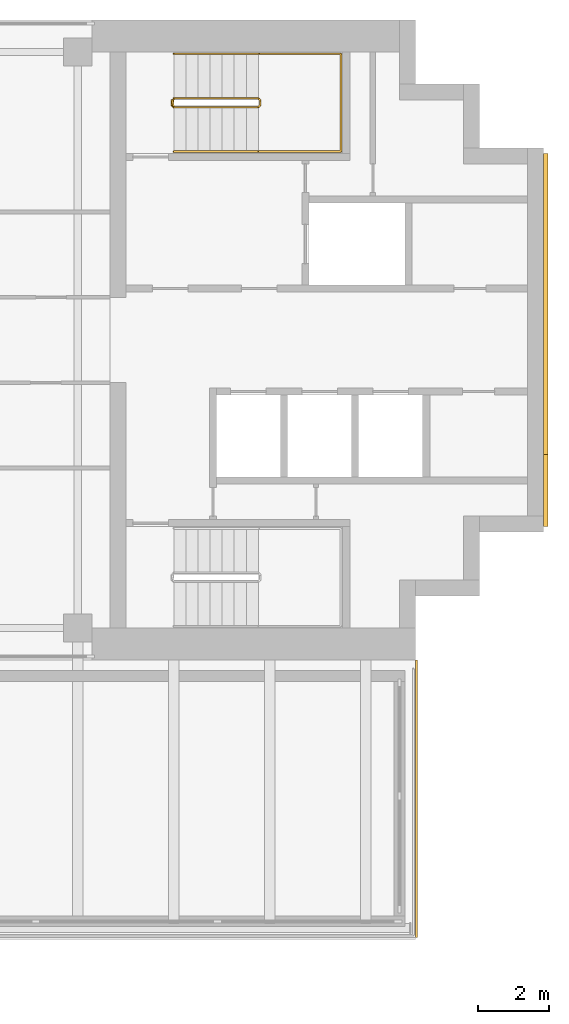
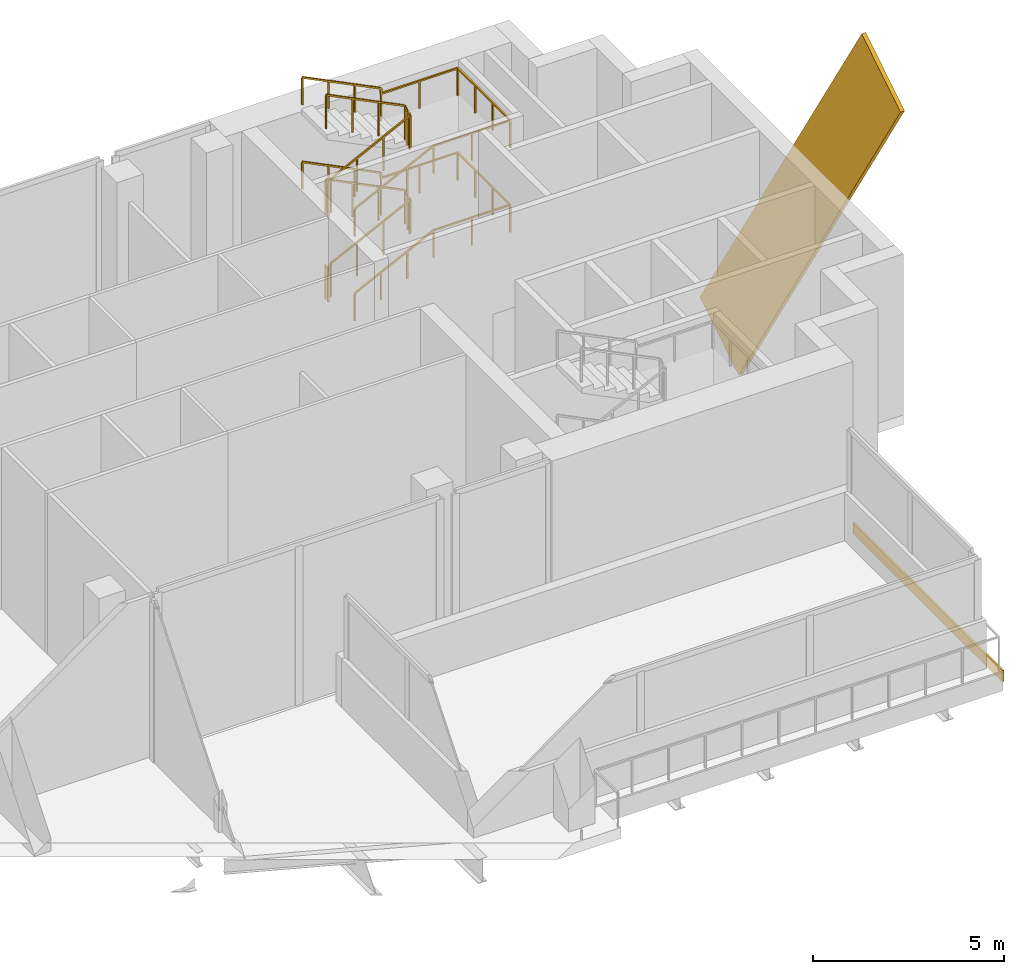
# One storey, part 14 of 14: 3 railings, 2 coverings.
"""IFC4 building model written with IfcOpenShell, lengths in metres."""

from ifc_helpers import new_model, si_unit, direction, frame, origin, origin_2d, place, context, subcontext, project, spatial, rectangle, extrude, material, layer, layer_set, material_profile, profile_set, type_object, element, save


model = new_model("IFC4")

# Units and contexts
model_context = context("Model", 3, precision=1e-05, world=origin(), true_north=direction((0.0, 1.0)))
body_context = subcontext(model_context, "Body", "Model", "MODEL_VIEW")
ifc_project = project(units=[si_unit("LENGTHUNIT", "METRE"), si_unit("AREAUNIT", "SQUARE_METRE"), si_unit("VOLUMEUNIT", "CUBIC_METRE"), si_unit("PLANEANGLEUNIT", "RADIAN"), si_unit("MASSUNIT", "GRAM", prefix="KILO")], contexts=[model_context])

# Site, building, storey
site_placement = place(None, origin())
site = spatial("IfcSite", under=ifc_project, at=site_placement, CompositionType="ELEMENT")
building_placement = place(site_placement, origin())
building = spatial("IfcBuilding", under=site, at=building_placement, Name="Perihelion Cross Residences", CompositionType="ELEMENT")
storey_placement = place(building_placement, frame((0.0, 0.0, 285.0)))
storey = spatial("IfcBuildingStorey", under=building, at=storey_placement, Name="L73", CompositionType="ELEMENT", Elevation=285.0)

# Coverings
ifc_material_1 = material(Name="Bronze anodised aluminium", Category="aluminium")
ifc_material_profile = material_profile(ifc_material_1, rectangle(XDim=0.125, YDim=2.39990234375, at=origin_2d()), Name="Bronze cladding band 2400")
ifc_profile_set = profile_set([ifc_material_profile], Name="Bronze anodised aluminium")
covering_type_1 = type_object("IfcCoveringType", Name="Bronze cladding band 2400", PredefinedType="CLADDING", material=ifc_profile_set)
covering_1_placement = place(storey_placement, frame((33.862548828125, 4.232421875, -3.325927734375), z_axis=(0.0, -0.529924750763, 0.848044667767), x_axis=(1.0, 0.0, 0.0)))
element("IfcCovering", 1, at=covering_1_placement, inside=storey, type_object=covering_type_1, Name="Core cladding band, east core", PredefinedType="CLADDING", context=body_context, shape_type="SweptSolid", body=[
    extrude(rectangle(XDim=0.125, YDim=2.39990234375, at=origin_2d()), origin(), (0.0, 0.0, 1.0), 15.9736328125),
])
ifc_material_2 = material(Name="Bronze anodised aluminium", Category="aluminium")
ifc_layer = layer(ifc_material_2, 0.06005859375)
ifc_layer_set = layer_set([ifc_layer], Name="Pool deck edge cladding")
covering_type_2 = type_object("IfcCoveringType", Name="Pool deck edge cladding", PredefinedType="CLADDING", material=ifc_layer_set)
covering_2_placement = place(storey_placement, frame((30.22998046875, -12.89990234375, -0.35009765625), z_axis=(0.0, 0.0, 1.0), x_axis=(1.0, 0.0, 0.0)))
element("IfcCovering", 2, at=covering_2_placement, inside=storey, type_object=covering_type_2, Name="Fascia PEC1 L73 pool no. 1", PredefinedType="CLADDING", context=body_context, shape_type="SweptSolid", body=[
    extrude(rectangle(XDim=0.06005859375, YDim=7.800048828125, at=origin_2d()), origin(), (0.0, 0.0, 1.0), 0.35009765625),
])

# Railings
ifc_material_3 = material(Name="Stainless steel", Category="steel")
railing_type_1 = type_object("IfcRailingType", Name="Stair guard 1100", PredefinedType="GUARDRAIL", material=ifc_material_3)
railing_1_placement = place(storey_placement, frame((23.35009765625, 6.75, 0.0)))
element("IfcRailing", 3, at=railing_1_placement, inside=storey, type_object=railing_type_1, Name="L73 ST-E1 stair guard 1", PredefinedType="GUARDRAIL", context=body_context, shape_type="SweptSolid", body=[
    extrude(rectangle(XDim=0.048095703125, YDim=0.048095703125, at=origin_2d()), frame((0.0, 0.0, 1.076171875), z_axis=(0.0, -1.0, 0.0), x_axis=(1.0, 0.0, 0.0)), (0.0, 0.0, 1.0), 0.14990234375),
    extrude(rectangle(XDim=0.048095703125, YDim=0.048095703125, at=origin_2d()), frame((0.0, -0.14990234375, 1.076171875), z_axis=(0.272333783174, -0.273668752699, 0.922463942026), x_axis=(0.708833529934, 0.705375805398, 0.0)), (0.0, 0.0, 1.0), 0.182861328125),
    extrude(rectangle(XDim=0.048095703125, YDim=0.048095703125, at=origin_2d()), frame((0.0498046875, -0.199951171875, 1.24462890625), z_axis=(0.895728066128, 0.0, 0.444602329674), x_axis=(0.0, 1.0, 0.0)), (0.0, 0.0, 1.0), 2.6572265625),
    extrude(rectangle(XDim=0.048095703125, YDim=0.048095703125, at=origin_2d()), frame((2.429931640625, -0.199951171875, 2.42626953125), z_axis=(0.707106781187, 0.707106781187, 0.0), x_axis=(-0.707106781187, 0.707106781187, 0.0)), (0.0, 0.0, 1.0), 0.07080078125),
    extrude(rectangle(XDim=0.048095703125, YDim=0.048095703125, at=origin_2d()), frame((2.47998046875, -0.14990234375, 2.42626953125), z_axis=(0.0, 1.0, 0.0), x_axis=(-1.0, 0.0, 0.0)), (0.0, 0.0, 1.0), 0.14990234375),
    extrude(rectangle(XDim=0.048095703125, YDim=0.048095703125, at=origin_2d()), frame((2.47998046875, 0.0, 2.42626953125), z_axis=(-0.273569069059, 0.273569069059, 0.922127935218), x_axis=(-0.707106781187, -0.707106781187, 0.0)), (0.0, 0.0, 1.0), 0.182861328125),
    extrude(rectangle(XDim=0.048095703125, YDim=0.048095703125, at=origin_2d()), frame((2.429931640625, 0.050048828125, 2.5947265625), z_axis=(-0.895764654725, 0.0, 0.444528608017), x_axis=(0.0, -1.0, 0.0)), (0.0, 0.0, 1.0), 2.656982421875),
    extrude(rectangle(XDim=0.048095703125, YDim=0.048095703125, at=origin_2d()), frame((0.0498046875, 0.050048828125, 3.77587890625), z_axis=(-0.241699205484, -0.970351222016, 0.0), x_axis=(0.970351222016, -0.241699205484, 0.0)), (0.0, 0.0, 1.0), 0.2060546875),
    extrude(rectangle(XDim=0.048095703125, YDim=0.048095703125, at=origin_2d()), frame((0.0, -0.14990234375, 3.77587890625), z_axis=(0.0, 1.0, 0.0), x_axis=(-1.0, 0.0, 0.0)), (0.0, 0.0, 1.0), 0.14990234375),
    extrude(rectangle(XDim=0.048095703125, YDim=0.048095703125, at=origin_2d()), frame((0.0, 0.0, 3.77587890625), z_axis=(0.187017651923, -0.750820867278, 0.633476458228), x_axis=(0.970351222016, 0.241699205484, 0.0)), (0.0, 0.0, 1.0), 0.266357421875),
    extrude(rectangle(XDim=0.048095703125, YDim=0.048095703125, at=origin_2d()), frame((0.0498046875, -0.199951171875, 3.94482421875), z_axis=(0.895728066128, 0.0, 0.444602329674), x_axis=(0.0, 1.0, 0.0)), (0.0, 0.0, 1.0), 2.6572265625),
    extrude(rectangle(XDim=0.048095703125, YDim=0.048095703125, at=origin_2d()), frame((2.429931640625, -0.199951171875, 5.1259765625), z_axis=(0.707106781187, 0.707106781187, 0.0), x_axis=(-0.707106781187, 0.707106781187, 0.0)), (0.0, 0.0, 1.0), 0.07080078125),
    extrude(rectangle(XDim=0.048095703125, YDim=0.048095703125, at=origin_2d()), frame((2.47998046875, -0.14990234375, 5.1259765625), z_axis=(0.0, 1.0, 0.0), x_axis=(-1.0, 0.0, 0.0)), (0.0, 0.0, 1.0), 0.14990234375),
    extrude(rectangle(XDim=0.048095703125, YDim=0.048095703125, at=origin_2d()), frame((2.47998046875, 0.0, 5.1259765625), z_axis=(-0.273569069059, 0.273569069059, 0.922127935218), x_axis=(-0.707106781187, -0.707106781187, 0.0)), (0.0, 0.0, 1.0), 0.182861328125),
    extrude(rectangle(XDim=0.048095703125, YDim=0.048095703125, at=origin_2d()), frame((2.429931640625, 0.050048828125, 5.294921875), z_axis=(-0.895764654725, 0.0, 0.444528608017), x_axis=(0.0, -1.0, 0.0)), (0.0, 0.0, 1.0), 2.656982421875),
    extrude(rectangle(XDim=0.0419921875, YDim=0.0419921875, at=origin_2d()), origin(), (0.0, 0.0, 1.0), 1.052001953125),
    extrude(rectangle(XDim=0.0419921875, YDim=0.0419921875, at=origin_2d()), frame((0.0, -0.14990234375, 0.0)), (0.0, 0.0, 1.0), 1.052001953125),
    extrude(rectangle(XDim=0.0419921875, YDim=0.0419921875, at=origin_2d()), frame((0.0498046875, -0.199951171875, 0.168701171875)), (0.0, 0.0, 1.0), 1.052001953125),
    extrude(rectangle(XDim=0.0419921875, YDim=0.0419921875, at=origin_2d()), frame((0.84326171875, -0.199951171875, 0.5625)), (0.0, 0.0, 1.0), 1.052001953125),
    extrude(rectangle(XDim=0.0419921875, YDim=0.0419921875, at=origin_2d()), frame((1.636474609375, -0.199951171875, 0.956298828125)), (0.0, 0.0, 1.0), 1.052001953125),
    extrude(rectangle(XDim=0.0419921875, YDim=0.0419921875, at=origin_2d()), frame((2.429931640625, -0.199951171875, 1.35009765625)), (0.0, 0.0, 1.0), 1.052001953125),
    extrude(rectangle(XDim=0.0419921875, YDim=0.0419921875, at=origin_2d()), frame((2.47998046875, -0.14990234375, 1.35009765625)), (0.0, 0.0, 1.0), 1.052001953125),
    extrude(rectangle(XDim=0.0419921875, YDim=0.0419921875, at=origin_2d()), frame((2.47998046875, 0.0, 1.35009765625)), (0.0, 0.0, 1.0), 1.052001953125),
    extrude(rectangle(XDim=0.0419921875, YDim=0.0419921875, at=origin_2d()), frame((2.429931640625, 0.050048828125, 1.518798828125)), (0.0, 0.0, 1.0), 1.052001953125),
    extrude(rectangle(XDim=0.0419921875, YDim=0.0419921875, at=origin_2d()), frame((1.636474609375, 0.050048828125, 1.91259765625)), (0.0, 0.0, 1.0), 1.052001953125),
    extrude(rectangle(XDim=0.0419921875, YDim=0.0419921875, at=origin_2d()), frame((0.84326171875, 0.050048828125, 2.30615234375)), (0.0, 0.0, 1.0), 1.052001953125),
    extrude(rectangle(XDim=0.0419921875, YDim=0.0419921875, at=origin_2d()), frame((0.0498046875, 0.050048828125, 2.699951171875)), (0.0, 0.0, 1.0), 1.052001953125),
    extrude(rectangle(XDim=0.0419921875, YDim=0.0419921875, at=origin_2d()), frame((0.0, -0.14990234375, 2.699951171875)), (0.0, 0.0, 1.0), 1.052001953125),
    extrude(rectangle(XDim=0.0419921875, YDim=0.0419921875, at=origin_2d()), frame((0.0, 0.0, 2.699951171875)), (0.0, 0.0, 1.0), 1.052001953125),
    extrude(rectangle(XDim=0.0419921875, YDim=0.0419921875, at=origin_2d()), frame((0.0498046875, -0.199951171875, 2.86865234375)), (0.0, 0.0, 1.0), 1.052001953125),
    extrude(rectangle(XDim=0.0419921875, YDim=0.0419921875, at=origin_2d()), frame((0.84326171875, -0.199951171875, 3.262451171875)), (0.0, 0.0, 1.0), 1.052001953125),
    extrude(rectangle(XDim=0.0419921875, YDim=0.0419921875, at=origin_2d()), frame((1.636474609375, -0.199951171875, 3.65625)), (0.0, 0.0, 1.0), 1.052001953125),
    extrude(rectangle(XDim=0.0419921875, YDim=0.0419921875, at=origin_2d()), frame((2.429931640625, -0.199951171875, 4.050048828125)), (0.0, 0.0, 1.0), 1.052001953125),
    extrude(rectangle(XDim=0.0419921875, YDim=0.0419921875, at=origin_2d()), frame((2.47998046875, -0.14990234375, 4.050048828125)), (0.0, 0.0, 1.0), 1.052001953125),
    extrude(rectangle(XDim=0.0419921875, YDim=0.0419921875, at=origin_2d()), frame((2.47998046875, 0.0, 4.050048828125)), (0.0, 0.0, 1.0), 1.052001953125),
    extrude(rectangle(XDim=0.0419921875, YDim=0.0419921875, at=origin_2d()), frame((2.429931640625, 0.050048828125, 4.21875)), (0.0, 0.0, 1.0), 1.052001953125),
    extrude(rectangle(XDim=0.0419921875, YDim=0.0419921875, at=origin_2d()), frame((1.636474609375, 0.050048828125, 4.612548828125)), (0.0, 0.0, 1.0), 1.052001953125),
    extrude(rectangle(XDim=0.0419921875, YDim=0.0419921875, at=origin_2d()), frame((0.84326171875, 0.050048828125, 5.006103515625)), (0.0, 0.0, 1.0), 1.052001953125),
    extrude(rectangle(XDim=0.0419921875, YDim=0.0419921875, at=origin_2d()), frame((0.0498046875, 0.050048828125, 5.39990234375)), (0.0, 0.0, 1.0), 1.052001953125),
])
ifc_material_4 = material(Name="Stainless steel", Category="steel")
railing_type_2 = type_object("IfcRailingType", Name="Stair handrail 900", PredefinedType="HANDRAIL", material=ifc_material_4)
railing_2_placement = place(storey_placement, frame((23.39990234375, 5.300048828125, 0.168701171875)))
element("IfcRailing", 4, at=railing_2_placement, inside=storey, type_object=railing_type_2, Name="L73 ST-E1 stair handrail 1", PredefinedType="HANDRAIL", context=body_context, shape_type="SweptSolid", body=[
    extrude(rectangle(XDim=0.048095703125, YDim=0.048095703125, at=origin_2d()), frame((0.0, 0.0, 0.8759765625), z_axis=(0.895728066128, 0.0, 0.444602329674), x_axis=(0.0, 1.0, 0.0)), (0.0, 0.0, 1.0), 2.6572265625),
    extrude(rectangle(XDim=0.048095703125, YDim=0.048095703125, at=origin_2d()), frame((2.380126953125, 0.0, 2.05712890625), z_axis=(1.0, 0.0, 0.0), x_axis=(0.0, 1.0, 0.0)), (0.0, 0.0, 1.0), 2.320068359375),
    extrude(rectangle(XDim=0.048095703125, YDim=0.048095703125, at=origin_2d()), frame((4.7001953125, 0.0, 2.05712890625), z_axis=(0.0, 1.0, 0.0), x_axis=(-1.0, 0.0, 0.0)), (0.0, 0.0, 1.0), 2.75),
    extrude(rectangle(XDim=0.048095703125, YDim=0.048095703125, at=origin_2d()), frame((4.7001953125, 2.75, 2.05712890625), z_axis=(-1.0, 0.0, 0.0), x_axis=(0.0, -1.0, 0.0)), (0.0, 0.0, 1.0), 2.320068359375),
    extrude(rectangle(XDim=0.048095703125, YDim=0.048095703125, at=origin_2d()), frame((2.380126953125, 2.75, 2.05712890625), z_axis=(0.0, 0.0, 1.0), x_axis=(1.0, 0.0, 0.0)), (0.0, 0.0, 1.0), 0.168701171875),
    extrude(rectangle(XDim=0.048095703125, YDim=0.048095703125, at=origin_2d()), frame((2.380126953125, 2.75, 2.22607421875), z_axis=(-0.895764654725, 0.0, 0.444528608017), x_axis=(0.0, -1.0, 0.0)), (0.0, 0.0, 1.0), 2.656982421875),
    extrude(rectangle(XDim=0.0419921875, YDim=0.0419921875, at=origin_2d()), origin(), (0.0, 0.0, 1.0), 0.851806640625),
    extrude(rectangle(XDim=0.0419921875, YDim=0.0419921875, at=origin_2d()), frame((0.79345703125, 0.0, 0.393798828125)), (0.0, 0.0, 1.0), 0.851806640625),
    extrude(rectangle(XDim=0.0419921875, YDim=0.0419921875, at=origin_2d()), frame((1.586669921875, 0.0, 0.78759765625)), (0.0, 0.0, 1.0), 0.851806640625),
    extrude(rectangle(XDim=0.0419921875, YDim=0.0419921875, at=origin_2d()), frame((2.380126953125, 0.0, 1.181396484375)), (0.0, 0.0, 1.0), 0.851806640625),
    extrude(rectangle(XDim=0.0419921875, YDim=0.0419921875, at=origin_2d()), frame((3.5400390625, 0.0, 1.181396484375)), (0.0, 0.0, 1.0), 0.851806640625),
    extrude(rectangle(XDim=0.0419921875, YDim=0.0419921875, at=origin_2d()), frame((4.7001953125, 0.0, 1.181396484375)), (0.0, 0.0, 1.0), 0.851806640625),
    extrude(rectangle(XDim=0.0419921875, YDim=0.0419921875, at=origin_2d()), frame((4.7001953125, 0.916748046875, 1.181396484375)), (0.0, 0.0, 1.0), 0.851806640625),
    extrude(rectangle(XDim=0.0419921875, YDim=0.0419921875, at=origin_2d()), frame((4.7001953125, 1.833251953125, 1.181396484375)), (0.0, 0.0, 1.0), 0.851806640625),
    extrude(rectangle(XDim=0.0419921875, YDim=0.0419921875, at=origin_2d()), frame((4.7001953125, 2.75, 1.181396484375)), (0.0, 0.0, 1.0), 0.851806640625),
    extrude(rectangle(XDim=0.0419921875, YDim=0.0419921875, at=origin_2d()), frame((3.5400390625, 2.75, 1.181396484375)), (0.0, 0.0, 1.0), 0.851806640625),
    extrude(rectangle(XDim=0.0419921875, YDim=0.0419921875, at=origin_2d()), frame((2.380126953125, 2.75, 1.181396484375)), (0.0, 0.0, 1.0), 0.851806640625),
    extrude(rectangle(XDim=0.0419921875, YDim=0.0419921875, at=origin_2d()), frame((2.380126953125, 2.75, 1.35009765625)), (0.0, 0.0, 1.0), 0.851806640625),
    extrude(rectangle(XDim=0.0419921875, YDim=0.0419921875, at=origin_2d()), frame((1.586669921875, 2.75, 1.743896484375)), (0.0, 0.0, 1.0), 0.851806640625),
    extrude(rectangle(XDim=0.0419921875, YDim=0.0419921875, at=origin_2d()), frame((0.79345703125, 2.75, 2.137451171875)), (0.0, 0.0, 1.0), 0.851806640625),
    extrude(rectangle(XDim=0.0419921875, YDim=0.0419921875, at=origin_2d()), frame((0.0, 2.75, 2.53125)), (0.0, 0.0, 1.0), 0.851806640625),
])
railing_3_placement = place(storey_placement, frame((23.39990234375, 5.300048828125, 2.86865234375)))
element("IfcRailing", 5, at=railing_3_placement, inside=storey, type_object=railing_type_2, Name="L73 ST-E1 stair handrail 2", PredefinedType="HANDRAIL", context=body_context, shape_type="SweptSolid", body=[
    extrude(rectangle(XDim=0.048095703125, YDim=0.048095703125, at=origin_2d()), frame((0.0, 0.0, 0.8759765625), z_axis=(0.895728066128, 0.0, 0.444602329674), x_axis=(0.0, 1.0, 0.0)), (0.0, 0.0, 1.0), 2.6572265625),
    extrude(rectangle(XDim=0.048095703125, YDim=0.048095703125, at=origin_2d()), frame((2.380126953125, 0.0, 2.05712890625), z_axis=(1.0, 0.0, 0.0), x_axis=(0.0, 1.0, 0.0)), (0.0, 0.0, 1.0), 2.320068359375),
    extrude(rectangle(XDim=0.048095703125, YDim=0.048095703125, at=origin_2d()), frame((4.7001953125, 0.0, 2.05712890625), z_axis=(0.0, 1.0, 0.0), x_axis=(-1.0, 0.0, 0.0)), (0.0, 0.0, 1.0), 2.75),
    extrude(rectangle(XDim=0.048095703125, YDim=0.048095703125, at=origin_2d()), frame((4.7001953125, 2.75, 2.05712890625), z_axis=(-1.0, 0.0, 0.0), x_axis=(0.0, -1.0, 0.0)), (0.0, 0.0, 1.0), 2.320068359375),
    extrude(rectangle(XDim=0.048095703125, YDim=0.048095703125, at=origin_2d()), frame((2.380126953125, 2.75, 2.05712890625), z_axis=(0.0, 0.0, 1.0), x_axis=(1.0, 0.0, 0.0)), (0.0, 0.0, 1.0), 0.168701171875),
    extrude(rectangle(XDim=0.048095703125, YDim=0.048095703125, at=origin_2d()), frame((2.380126953125, 2.75, 2.22607421875), z_axis=(-0.895764654725, 0.0, 0.444528608017), x_axis=(0.0, -1.0, 0.0)), (0.0, 0.0, 1.0), 2.656982421875),
    extrude(rectangle(XDim=0.0419921875, YDim=0.0419921875, at=origin_2d()), origin(), (0.0, 0.0, 1.0), 0.851806640625),
    extrude(rectangle(XDim=0.0419921875, YDim=0.0419921875, at=origin_2d()), frame((0.79345703125, 0.0, 0.393798828125)), (0.0, 0.0, 1.0), 0.851806640625),
    extrude(rectangle(XDim=0.0419921875, YDim=0.0419921875, at=origin_2d()), frame((1.586669921875, 0.0, 0.78759765625)), (0.0, 0.0, 1.0), 0.851806640625),
    extrude(rectangle(XDim=0.0419921875, YDim=0.0419921875, at=origin_2d()), frame((2.380126953125, 0.0, 1.181396484375)), (0.0, 0.0, 1.0), 0.851806640625),
    extrude(rectangle(XDim=0.0419921875, YDim=0.0419921875, at=origin_2d()), frame((3.5400390625, 0.0, 1.181396484375)), (0.0, 0.0, 1.0), 0.851806640625),
    extrude(rectangle(XDim=0.0419921875, YDim=0.0419921875, at=origin_2d()), frame((4.7001953125, 0.0, 1.181396484375)), (0.0, 0.0, 1.0), 0.851806640625),
    extrude(rectangle(XDim=0.0419921875, YDim=0.0419921875, at=origin_2d()), frame((4.7001953125, 0.916748046875, 1.181396484375)), (0.0, 0.0, 1.0), 0.851806640625),
    extrude(rectangle(XDim=0.0419921875, YDim=0.0419921875, at=origin_2d()), frame((4.7001953125, 1.833251953125, 1.181396484375)), (0.0, 0.0, 1.0), 0.851806640625),
    extrude(rectangle(XDim=0.0419921875, YDim=0.0419921875, at=origin_2d()), frame((4.7001953125, 2.75, 1.181396484375)), (0.0, 0.0, 1.0), 0.851806640625),
    extrude(rectangle(XDim=0.0419921875, YDim=0.0419921875, at=origin_2d()), frame((3.5400390625, 2.75, 1.181396484375)), (0.0, 0.0, 1.0), 0.851806640625),
    extrude(rectangle(XDim=0.0419921875, YDim=0.0419921875, at=origin_2d()), frame((2.380126953125, 2.75, 1.181396484375)), (0.0, 0.0, 1.0), 0.851806640625),
    extrude(rectangle(XDim=0.0419921875, YDim=0.0419921875, at=origin_2d()), frame((2.380126953125, 2.75, 1.35009765625)), (0.0, 0.0, 1.0), 0.851806640625),
    extrude(rectangle(XDim=0.0419921875, YDim=0.0419921875, at=origin_2d()), frame((1.586669921875, 2.75, 1.743896484375)), (0.0, 0.0, 1.0), 0.851806640625),
    extrude(rectangle(XDim=0.0419921875, YDim=0.0419921875, at=origin_2d()), frame((0.79345703125, 2.75, 2.137451171875)), (0.0, 0.0, 1.0), 0.851806640625),
    extrude(rectangle(XDim=0.0419921875, YDim=0.0419921875, at=origin_2d()), frame((0.0, 2.75, 2.53125)), (0.0, 0.0, 1.0), 0.851806640625),
])

save(model, "model.ifc")
